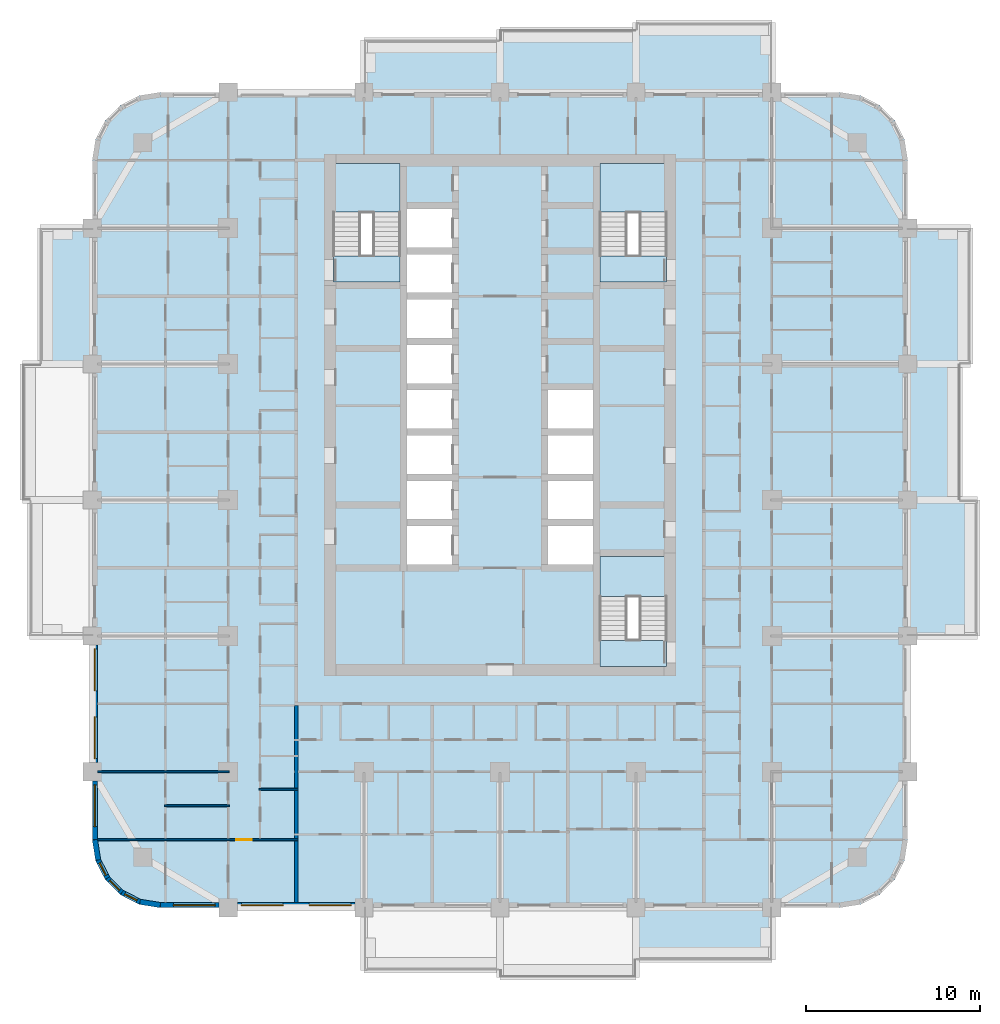
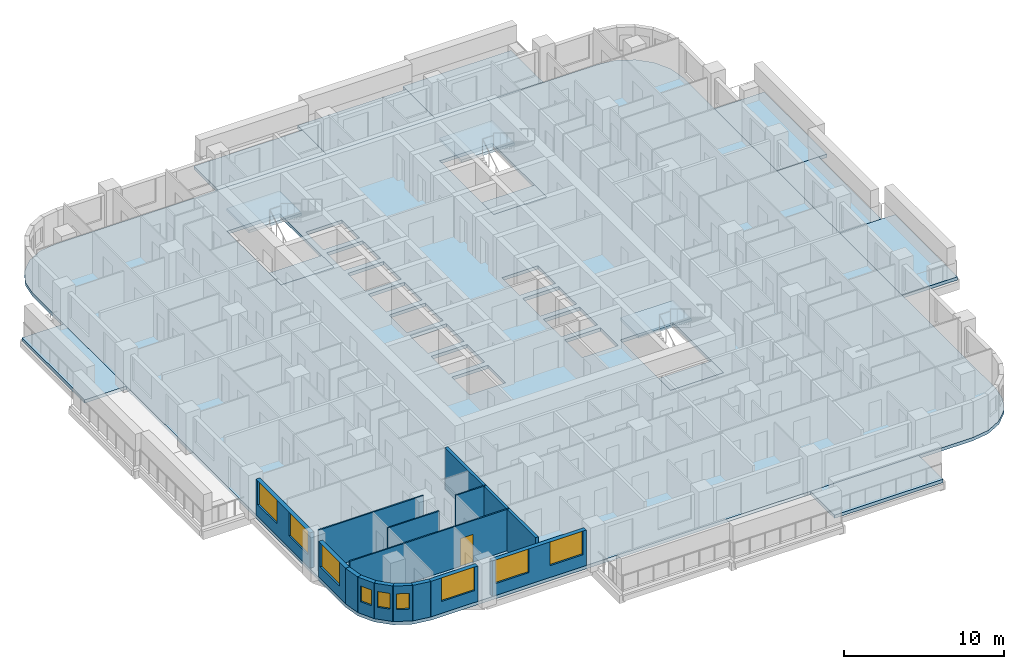
# One storey, part 2 of 17: 15 slabs, 14 walls, 9 windows, 1 door, 10 openings, 3 elements without a shape of their own.
"""IFC4 building model written with IfcOpenShell, lengths in metres."""

from ifc_helpers import new_model, si_unit, direction, frame, frame_2d, origin, place, context, subcontext, project, spatial, polyline, rectangle, outline, extrude, material, layer, layer_set, type_object, element, fill, aggregate, save


model = new_model("IFC4")

# Units and contexts
model_context = context("Model", 3, precision=1e-05, world=origin(), true_north=direction((0.0, 1.0)))
body_context = subcontext(model_context, "Body", "Model", "MODEL_VIEW")
ifc_project = project(units=[si_unit("LENGTHUNIT", "METRE"), si_unit("AREAUNIT", "SQUARE_METRE"), si_unit("VOLUMEUNIT", "CUBIC_METRE"), si_unit("PLANEANGLEUNIT", "RADIAN"), si_unit("MASSUNIT", "GRAM", prefix="KILO")], contexts=[model_context])

# Site, building, storey
site_placement = place(None, origin())
site = spatial("IfcSite", under=ifc_project, at=site_placement, CompositionType="ELEMENT")
building_placement = place(site_placement, origin())
building = spatial("IfcBuilding", under=site, at=building_placement, Name="Ludao Terraces", CompositionType="ELEMENT")
storey_placement = place(building_placement, frame((0.0, 0.0, 39.89990234375)))
storey = spatial("IfcBuildingStorey", under=building, at=storey_placement, Name="L10", CompositionType="ELEMENT", Elevation=39.89990234375)

# Slabs
ifc_material_1 = material(Name="Concrete C40", Category="concrete")
ifc_layer_1 = layer(ifc_material_1, 0.25)
ifc_layer_set_1 = layer_set([ifc_layer_1], Name="Balcony slab 250 C40")
slab_type_1 = type_object("IfcSlabType", Name="Balcony slab 250 C40", PredefinedType="USERDEFINED", material=ifc_layer_set_1)
slab_1_placement = place(storey_placement, frame((0.0, 0.0, -0.25)))
element("IfcSlab", 1, at=slab_1_placement, inside=storey, type_object=slab_type_1, Name="Balcony L10 S4", ObjectType="BALCONY", PredefinedType="USERDEFINED", context=body_context, shape_type="SweptSolid", body=[
    extrude(outline(polyline([(92.800048828125, 38.60009765625), (100.60009765625, 38.60009765625), (100.60009765625, 41.60009765625), (92.800048828125, 41.60009765625), (92.800048828125, 38.60009765625)])), origin(), (0.0, 0.0, 1.0), 0.25),
])
slab_2_placement = place(storey_placement, frame((0.0, 0.0, -0.25)))
element("IfcSlab", 2, at=slab_2_placement, inside=storey, type_object=slab_type_1, Name="Balcony L10 E2", ObjectType="BALCONY", PredefinedType="USERDEFINED", context=body_context, shape_type="SweptSolid", body=[
    extrude(outline(polyline([(108.39990234375, 57.199951171875), (112.39990234375, 57.199951171875), (112.39990234375, 65.0), (108.39990234375, 65.0), (108.39990234375, 57.199951171875)])), origin(), (0.0, 0.0, 1.0), 0.25),
])
slab_3_placement = place(storey_placement, frame((0.0, 0.0, -0.25)))
element("IfcSlab", 3, at=slab_3_placement, inside=storey, type_object=slab_type_1, Name="Balcony L10 E3", ObjectType="BALCONY", PredefinedType="USERDEFINED", context=body_context, shape_type="SweptSolid", body=[
    extrude(outline(polyline([(108.39990234375, 65.0), (111.39990234375, 65.0), (111.39990234375, 72.800048828125), (108.39990234375, 72.800048828125), (108.39990234375, 65.0)])), origin(), (0.0, 0.0, 1.0), 0.25),
])
slab_4_placement = place(storey_placement, frame((0.0, 0.0, -0.25)))
element("IfcSlab", 4, at=slab_4_placement, inside=storey, type_object=slab_type_1, Name="Balcony L10 E4", ObjectType="BALCONY", PredefinedType="USERDEFINED", context=body_context, shape_type="SweptSolid", body=[
    extrude(outline(polyline([(108.39990234375, 72.800048828125), (112.0, 72.800048828125), (112.0, 80.60009765625), (108.39990234375, 80.60009765625), (108.39990234375, 72.800048828125)])), origin(), (0.0, 0.0, 1.0), 0.25),
])
slab_5_placement = place(storey_placement, frame((0.0, 0.0, -0.25)))
element("IfcSlab", 5, at=slab_5_placement, inside=storey, type_object=slab_type_1, Name="Balcony L10 N2", ObjectType="BALCONY", PredefinedType="USERDEFINED", context=body_context, shape_type="SweptSolid", body=[
    extrude(outline(polyline([(77.199951171875, 88.39990234375), (85.0, 88.39990234375), (85.0, 91.39990234375), (77.199951171875, 91.39990234375), (77.199951171875, 88.39990234375)])), origin(), (0.0, 0.0, 1.0), 0.25),
])
slab_6_placement = place(storey_placement, frame((0.0, 0.0, -0.25)))
element("IfcSlab", 6, at=slab_6_placement, inside=storey, type_object=slab_type_1, Name="Balcony L10 N3", ObjectType="BALCONY", PredefinedType="USERDEFINED", context=body_context, shape_type="SweptSolid", body=[
    extrude(outline(polyline([(85.0, 88.39990234375), (92.800048828125, 88.39990234375), (92.800048828125, 92.0), (85.0, 92.0), (85.0, 88.39990234375)])), origin(), (0.0, 0.0, 1.0), 0.25),
])
slab_7_placement = place(storey_placement, frame((0.0, 0.0, -0.25)))
element("IfcSlab", 7, at=slab_7_placement, inside=storey, type_object=slab_type_1, Name="Balcony L10 N4", ObjectType="BALCONY", PredefinedType="USERDEFINED", context=body_context, shape_type="SweptSolid", body=[
    extrude(outline(polyline([(92.800048828125, 88.39990234375), (100.60009765625, 88.39990234375), (100.60009765625, 92.39990234375), (92.800048828125, 92.39990234375), (92.800048828125, 88.39990234375)])), origin(), (0.0, 0.0, 1.0), 0.25),
])
slab_8_placement = place(storey_placement, frame((0.0, 0.0, -0.25)))
element("IfcSlab", 8, at=slab_8_placement, inside=storey, type_object=slab_type_1, Name="Balcony L10 W4", ObjectType="BALCONY", PredefinedType="USERDEFINED", context=body_context, shape_type="SweptSolid", body=[
    extrude(outline(polyline([(58.60009765625, 72.800048828125), (61.60009765625, 72.800048828125), (61.60009765625, 80.60009765625), (58.60009765625, 80.60009765625), (58.60009765625, 72.800048828125)])), origin(), (0.0, 0.0, 1.0), 0.25),
])
ifc_layer_2 = layer(ifc_material_1, 0.25)
ifc_layer_set_2 = layer_set([ifc_layer_2], Name="Floor slab 250 C40")
slab_type_2 = type_object("IfcSlabType", Name="Floor slab 250 C40", PredefinedType="FLOOR", material=ifc_layer_set_2)
slab_9_placement = place(storey_placement, frame((0.0, 0.0, -0.25)))
element("IfcSlab", 9, at=slab_9_placement, inside=storey, type_object=slab_type_2, Name="Slab L10", PredefinedType="FLOOR", context=body_context, shape_type="SweptSolid", body=[
    extrude(outline(polyline([(104.5, 41.60009765625), (105.705078125, 41.790771484375), (106.79248046875, 42.3447265625), (107.6552734375, 43.20751953125), (108.209228515625, 44.294921875), (108.39990234375, 45.5), (108.39990234375, 84.5), (108.209228515625, 85.705078125), (107.6552734375, 86.79248046875), (106.79248046875, 87.6552734375), (105.705078125, 88.209228515625), (104.5, 88.39990234375), (65.5, 88.39990234375), (64.294921875, 88.209228515625), (63.20751953125, 87.6552734375), (62.3447265625, 86.79248046875), (61.790771484375, 85.705078125), (61.60009765625, 84.5), (61.60009765625, 45.5), (61.790771484375, 44.294921875), (62.3447265625, 43.20751953125), (63.20751953125, 42.3447265625), (64.294921875, 41.790771484375), (65.5, 41.60009765625), (104.5, 41.60009765625)]), holes=[polyline([(79.64990234375, 61.300048828125), (82.25, 61.300048828125), (82.25, 63.5), (79.64990234375, 63.5), (79.64990234375, 61.300048828125)]), polyline([(79.64990234375, 63.89990234375), (82.25, 63.89990234375), (82.25, 66.10009765625), (79.64990234375, 66.10009765625), (79.64990234375, 63.89990234375)]), polyline([(79.64990234375, 66.5), (82.25, 66.5), (82.25, 68.699951171875), (79.64990234375, 68.699951171875), (79.64990234375, 66.5)]), polyline([(79.64990234375, 69.10009765625), (82.25, 69.10009765625), (82.25, 71.300048828125), (79.64990234375, 71.300048828125), (79.64990234375, 69.10009765625)]), polyline([(79.64990234375, 71.699951171875), (82.25, 71.699951171875), (82.25, 73.89990234375), (79.64990234375, 73.89990234375), (79.64990234375, 71.699951171875)]), polyline([(79.64990234375, 74.300048828125), (82.25, 74.300048828125), (82.25, 76.5), (79.64990234375, 76.5), (79.64990234375, 74.300048828125)]), polyline([(79.64990234375, 76.89990234375), (82.25, 76.89990234375), (82.25, 79.10009765625), (79.64990234375, 79.10009765625), (79.64990234375, 76.89990234375)]), polyline([(79.64990234375, 79.5), (82.25, 79.5), (82.25, 81.699951171875), (79.64990234375, 81.699951171875), (79.64990234375, 79.5)]), polyline([(87.75, 61.300048828125), (90.35009765625, 61.300048828125), (90.35009765625, 63.5), (87.75, 63.5), (87.75, 61.300048828125)]), polyline([(87.75, 63.89990234375), (90.35009765625, 63.89990234375), (90.35009765625, 66.10009765625), (87.75, 66.10009765625), (87.75, 63.89990234375)]), polyline([(87.75, 66.5), (90.35009765625, 66.5), (90.35009765625, 68.699951171875), (87.75, 68.699951171875), (87.75, 66.5)]), polyline([(87.75, 69.10009765625), (90.35009765625, 69.10009765625), (90.35009765625, 71.300048828125), (87.75, 71.300048828125), (87.75, 69.10009765625)]), polyline([(75.449951171875, 77.5), (79.25, 77.5), (79.25, 84.239990234375), (75.449951171875, 84.239990234375), (75.449951171875, 77.5)]), polyline([(90.75, 77.5), (94.550048828125, 77.5), (94.550048828125, 84.239990234375), (90.75, 84.239990234375), (90.75, 77.5)]), polyline([(90.75, 55.449951171875), (94.550048828125, 55.449951171875), (94.550048828125, 61.75), (90.75, 61.75), (90.75, 55.449951171875)])]), origin(), (0.0, 0.0, 1.0), 0.25),
])

# Stair, slabs
stair_type = type_object("IfcStairType", Name="INT Stair", PredefinedType="HALF_TURN_STAIR", material=ifc_material_1)
stair_1_placement = place(storey_placement, origin())
stair_1 = element("IfcStair", 10, at=stair_1_placement, inside=storey, type_object=stair_type, Name="EXIT STAIR 1", PredefinedType="HALF_TURN_STAIR")
ifc_layer_3 = layer(ifc_material_1, 0.199951171875)
ifc_layer_set_3 = layer_set([ifc_layer_3], Name="INT Stair landing 200")
slab_type_3 = type_object("IfcSlabType", Name="INT Stair landing 200", PredefinedType="LANDING", material=ifc_layer_set_3)
slab_10_placement = place(storey_placement, frame((0.0, 0.0, 1.5)))
slab_10 = element("IfcSlab", 11, at=slab_10_placement, type_object=slab_type_3, Name="ST1 landing 1", PredefinedType="LANDING", context=body_context, shape_type="SweptSolid", body=[
    extrude(outline(polyline([(75.449951171875, 81.52001953125), (79.25, 81.52001953125), (79.25, 84.300048828125), (75.449951171875, 84.300048828125), (75.449951171875, 81.52001953125)])), origin(), (0.0, 0.0, 1.0), 0.2001953125),
])
slab_11_placement = place(storey_placement, frame((0.0, 0.0, -0.199951171875)))
slab_11 = element("IfcSlab", 12, at=slab_11_placement, type_object=slab_type_3, Name="ST1 landing 2", PredefinedType="LANDING", context=body_context, shape_type="SweptSolid", body=[
    extrude(outline(polyline([(75.449951171875, 77.5), (79.25, 77.5), (79.25, 79.0), (75.449951171875, 79.0), (75.449951171875, 77.5)])), origin(), (0.0, 0.0, 1.0), 0.199951171875),
])
aggregate(stair_1, [slab_10, slab_11])

stair_2_placement = place(storey_placement, origin())
stair_2 = element("IfcStair", 13, at=stair_2_placement, inside=storey, type_object=stair_type, Name="EXIT STAIR 2", PredefinedType="HALF_TURN_STAIR")
slab_12_placement = place(storey_placement, frame((0.0, 0.0, 1.5)))
slab_12 = element("IfcSlab", 14, at=slab_12_placement, type_object=slab_type_3, Name="ST2 landing 1", PredefinedType="LANDING", context=body_context, shape_type="SweptSolid", body=[
    extrude(outline(polyline([(90.75, 81.52001953125), (94.550048828125, 81.52001953125), (94.550048828125, 84.300048828125), (90.75, 84.300048828125), (90.75, 81.52001953125)])), origin(), (0.0, 0.0, 1.0), 0.2001953125),
])
slab_13_placement = place(storey_placement, frame((0.0, 0.0, -0.199951171875)))
slab_13 = element("IfcSlab", 15, at=slab_13_placement, type_object=slab_type_3, Name="ST2 landing 2", PredefinedType="LANDING", context=body_context, shape_type="SweptSolid", body=[
    extrude(outline(polyline([(90.75, 77.5), (94.550048828125, 77.5), (94.550048828125, 79.0), (90.75, 79.0), (90.75, 77.5)])), origin(), (0.0, 0.0, 1.0), 0.199951171875),
])
aggregate(stair_2, [slab_12, slab_13])

stair_3_placement = place(storey_placement, origin())
stair_3 = element("IfcStair", 16, at=stair_3_placement, inside=storey, type_object=stair_type, Name="EXIT STAIR 3", PredefinedType="HALF_TURN_STAIR")
slab_14_placement = place(storey_placement, frame((0.0, 0.0, 1.5)))
slab_14 = element("IfcSlab", 17, at=slab_14_placement, type_object=slab_type_3, Name="ST3 landing 1", PredefinedType="LANDING", context=body_context, shape_type="SweptSolid", body=[
    extrude(outline(polyline([(90.75, 59.469970703125), (94.550048828125, 59.469970703125), (94.550048828125, 61.75), (90.75, 61.75), (90.75, 59.469970703125)])), origin(), (0.0, 0.0, 1.0), 0.2001953125),
])
slab_15_placement = place(storey_placement, frame((0.0, 0.0, -0.199951171875)))
slab_15 = element("IfcSlab", 18, at=slab_15_placement, type_object=slab_type_3, Name="ST3 landing 2", PredefinedType="LANDING", context=body_context, shape_type="SweptSolid", body=[
    extrude(outline(polyline([(90.75, 55.449951171875), (94.550048828125, 55.449951171875), (94.550048828125, 56.949951171875), (90.75, 56.949951171875), (90.75, 55.449951171875)])), origin(), (0.0, 0.0, 1.0), 0.199951171875),
])
aggregate(stair_3, [slab_14, slab_15])

# Wall, opening, window
ifc_material_2 = material(Name="Granite cladding", Category="masonry")
ifc_layer_4 = layer(ifc_material_2, 0.0400390625, Category="stone")
ifc_material_3 = material(Name="Mineral wool")
ifc_layer_5 = layer(ifc_material_3, 0.06005859375)
ifc_layer_6 = layer(ifc_material_1, 0.199951171875, Category="concrete")
ifc_layer_set_4 = layer_set([ifc_layer_4, ifc_layer_5, ifc_layer_6], Name="ENV Stone-clad wall 300")
wall_type_1 = type_object("IfcWallType", Name="ENV Stone-clad wall 300", PredefinedType="SOLIDWALL", material=ifc_layer_set_4)
wall_1_placement = place(storey_placement, frame((65.5, 41.75, 0.0), z_axis=(0.0, 0.0, 1.0), x_axis=(1.0, 0.0, 0.0)))
wall_1 = element("IfcWall", 19, at=wall_1_placement, inside=storey, type_object=wall_type_1, Name="EW-L10-S1", PredefinedType="SOLIDWALL", context=body_context, shape_type="SweptSolid", body=[
    extrude(rectangle(XDim=3.375, YDim=0.300048828125, at=frame_2d((1.6875, 0.0))), origin(), (0.0, 0.0, 1.0), 2.7001953125),
])
opening_1_placement = place(wall_1_placement, frame((0.75, 0.0, 0.89990234375)))
opening_1 = element("IfcOpeningElement", 20, at=opening_1_placement, cuts=wall_1, Name="Opening W1", PredefinedType="OPENING", context=body_context, shape_type="SweptSolid", body=[
    extrude(rectangle(XDim=2.39990234375, YDim=1.800048828125, at=frame_2d((1.199951171875, 0.89990234375))), frame((0.0, 0.16015625, 0.0), z_axis=(0.0, -1.0, 0.0), x_axis=(1.0, 0.0, 0.0)), (0.0, 0.0, 1.0), 0.320068359375),
])
ifc_material_4 = material(Name="Clear glass in aluminium frame", Category="aluminium")
ifc_layer_7 = layer(ifc_material_4, 0.06005859375)
ifc_layer_set_5 = layer_set([ifc_layer_7], Name="ENV Window W1 2400x1800")
window_type_1 = type_object("IfcWindowType", Name="ENV Window W1 2400x1800", PartitioningType="DOUBLE_PANEL_VERTICAL", PredefinedType="WINDOW", material=ifc_layer_set_5)
window_1_placement = place(opening_1_placement, origin())
window_1 = element("IfcWindow", 21, at=window_1_placement, inside=storey, type_object=window_type_1, Name="W-L10-S1-1", OverallHeight=1.800048828125, OverallWidth=2.39990234375, PartitioningType="DOUBLE_PANEL_VERTICAL", PredefinedType="WINDOW", context=body_context, shape_type="SweptSolid", body=[
    extrude(rectangle(XDim=2.39990234375, YDim=1.800048828125, at=frame_2d((1.199951171875, 0.89990234375))), frame((0.0, 0.030029296875, 0.0), z_axis=(0.0, -1.0, 0.0), x_axis=(1.0, 0.0, 0.0)), (0.0, 0.0, 1.0), 0.06005859375),
])
fill(opening_1, window_1)

# Wall, openings, windows
wall_2_placement = place(storey_placement, frame((69.925048828125, 41.75, 0.0), z_axis=(0.0, 0.0, 1.0), x_axis=(1.0, 0.0, 0.0)))
wall_2 = element("IfcWall", 22, at=wall_2_placement, inside=storey, type_object=wall_type_1, Name="EW-L10-S2", PredefinedType="SOLIDWALL", context=body_context, shape_type="SweptSolid", body=[
    extrude(rectangle(XDim=6.75, YDim=0.300048828125, at=frame_2d((3.375, 0.0))), origin(), (0.0, 0.0, 1.0), 2.7001953125),
])
opening_2_placement = place(wall_2_placement, frame((0.22509765625, 0.0, 0.89990234375)))
opening_2 = element("IfcOpeningElement", 23, at=opening_2_placement, cuts=wall_2, Name="Opening W1", PredefinedType="OPENING", context=body_context, shape_type="SweptSolid", body=[
    extrude(rectangle(XDim=2.39990234375, YDim=1.800048828125, at=frame_2d((1.199951171875, 0.89990234375))), frame((0.0, 0.16015625, 0.0), z_axis=(0.0, -1.0, 0.0), x_axis=(1.0, 0.0, 0.0)), (0.0, 0.0, 1.0), 0.320068359375),
])
opening_3_placement = place(wall_2_placement, frame((4.125, 0.0, 0.89990234375)))
opening_3 = element("IfcOpeningElement", 24, at=opening_3_placement, cuts=wall_2, Name="Opening W1", PredefinedType="OPENING", context=body_context, shape_type="SweptSolid", body=[
    extrude(rectangle(XDim=2.39990234375, YDim=1.800048828125, at=frame_2d((1.199951171875, 0.89990234375))), frame((0.0, 0.16015625, 0.0), z_axis=(0.0, -1.0, 0.0), x_axis=(1.0, 0.0, 0.0)), (0.0, 0.0, 1.0), 0.320068359375),
])
window_2_placement = place(opening_2_placement, origin())
window_2 = element("IfcWindow", 25, at=window_2_placement, inside=storey, type_object=window_type_1, Name="W-L10-S2-1", OverallHeight=1.800048828125, OverallWidth=2.39990234375, PartitioningType="DOUBLE_PANEL_VERTICAL", PredefinedType="WINDOW", context=body_context, shape_type="SweptSolid", body=[
    extrude(rectangle(XDim=2.39990234375, YDim=1.800048828125, at=frame_2d((1.199951171875, 0.89990234375))), frame((0.0, 0.030029296875, 0.0), z_axis=(0.0, -1.0, 0.0), x_axis=(1.0, 0.0, 0.0)), (0.0, 0.0, 1.0), 0.06005859375),
])
fill(opening_2, window_2)
window_3_placement = place(opening_3_placement, origin())
window_3 = element("IfcWindow", 26, at=window_3_placement, inside=storey, type_object=window_type_1, Name="W-L10-S2-2", OverallHeight=1.800048828125, OverallWidth=2.39990234375, PartitioningType="DOUBLE_PANEL_VERTICAL", PredefinedType="WINDOW", context=body_context, shape_type="SweptSolid", body=[
    extrude(rectangle(XDim=2.39990234375, YDim=1.800048828125, at=frame_2d((1.199951171875, 0.89990234375))), frame((0.0, 0.030029296875, 0.0), z_axis=(0.0, -1.0, 0.0), x_axis=(1.0, 0.0, 0.0)), (0.0, 0.0, 1.0), 0.06005859375),
])
fill(opening_3, window_3)

# Wall, opening, window
wall_3_placement = place(storey_placement, frame((61.75, 45.5, 0.0), z_axis=(0.0, 0.0, 1.0), x_axis=(0.0, 1.0, 0.0)))
wall_3 = element("IfcWall", 27, at=wall_3_placement, inside=storey, type_object=wall_type_1, Name="EW-L10-W1", PredefinedType="SOLIDWALL", context=body_context, shape_type="SweptSolid", body=[
    extrude(rectangle(XDim=3.375, YDim=0.300048828125, at=frame_2d((1.6875, 0.0))), origin(), (0.0, 0.0, 1.0), 2.7001953125),
])
opening_4_placement = place(wall_3_placement, frame((0.75, 0.0, 0.89990234375)))
opening_4 = element("IfcOpeningElement", 28, at=opening_4_placement, cuts=wall_3, Name="Opening W1", PredefinedType="OPENING", context=body_context, shape_type="SweptSolid", body=[
    extrude(rectangle(XDim=2.39990234375, YDim=1.800048828125, at=frame_2d((1.199951171875, 0.89990234375))), frame((0.0, 0.16015625, 0.0), z_axis=(0.0, -1.0, 0.0), x_axis=(1.0, 0.0, 0.0)), (0.0, 0.0, 1.0), 0.320068359375),
])
window_4_placement = place(opening_4_placement, origin())
window_4 = element("IfcWindow", 29, at=window_4_placement, inside=storey, type_object=window_type_1, Name="W-L10-W1-1", OverallHeight=1.800048828125, OverallWidth=2.39990234375, PartitioningType="DOUBLE_PANEL_VERTICAL", PredefinedType="WINDOW", context=body_context, shape_type="SweptSolid", body=[
    extrude(rectangle(XDim=2.39990234375, YDim=1.800048828125, at=frame_2d((1.199951171875, 0.89990234375))), frame((0.0, 0.030029296875, 0.0), z_axis=(0.0, -1.0, 0.0), x_axis=(1.0, 0.0, 0.0)), (0.0, 0.0, 1.0), 0.06005859375),
])
fill(opening_4, window_4)

# Wall, openings, windows
wall_4_placement = place(storey_placement, frame((61.75, 49.925048828125, 0.0), z_axis=(0.0, 0.0, 1.0), x_axis=(0.0, 1.0, 0.0)))
wall_4 = element("IfcWall", 30, at=wall_4_placement, inside=storey, type_object=wall_type_1, Name="EW-L10-W2", PredefinedType="SOLIDWALL", context=body_context, shape_type="SweptSolid", body=[
    extrude(rectangle(XDim=6.75, YDim=0.300048828125, at=frame_2d((3.375, 0.0))), origin(), (0.0, 0.0, 1.0), 2.7001953125),
])
opening_5_placement = place(wall_4_placement, frame((0.22509765625, 0.0, 0.89990234375)))
opening_5 = element("IfcOpeningElement", 31, at=opening_5_placement, cuts=wall_4, Name="Opening W1", PredefinedType="OPENING", context=body_context, shape_type="SweptSolid", body=[
    extrude(rectangle(XDim=2.39990234375, YDim=1.800048828125, at=frame_2d((1.199951171875, 0.89990234375))), frame((0.0, 0.16015625, 0.0), z_axis=(0.0, -1.0, 0.0), x_axis=(1.0, 0.0, 0.0)), (0.0, 0.0, 1.0), 0.320068359375),
])
opening_6_placement = place(wall_4_placement, frame((4.125, 0.0, 0.89990234375)))
opening_6 = element("IfcOpeningElement", 32, at=opening_6_placement, cuts=wall_4, Name="Opening W1", PredefinedType="OPENING", context=body_context, shape_type="SweptSolid", body=[
    extrude(rectangle(XDim=2.39990234375, YDim=1.800048828125, at=frame_2d((1.199951171875, 0.89990234375))), frame((0.0, 0.16015625, 0.0), z_axis=(0.0, -1.0, 0.0), x_axis=(1.0, 0.0, 0.0)), (0.0, 0.0, 1.0), 0.320068359375),
])
window_5_placement = place(opening_5_placement, origin())
window_5 = element("IfcWindow", 33, at=window_5_placement, inside=storey, type_object=window_type_1, Name="W-L10-W2-1", OverallHeight=1.800048828125, OverallWidth=2.39990234375, PartitioningType="DOUBLE_PANEL_VERTICAL", PredefinedType="WINDOW", context=body_context, shape_type="SweptSolid", body=[
    extrude(rectangle(XDim=2.39990234375, YDim=1.800048828125, at=frame_2d((1.199951171875, 0.89990234375))), frame((0.0, 0.030029296875, 0.0), z_axis=(0.0, -1.0, 0.0), x_axis=(1.0, 0.0, 0.0)), (0.0, 0.0, 1.0), 0.06005859375),
])
fill(opening_5, window_5)
window_6_placement = place(opening_6_placement, origin())
window_6 = element("IfcWindow", 34, at=window_6_placement, inside=storey, type_object=window_type_1, Name="W-L10-W2-2", OverallHeight=1.800048828125, OverallWidth=2.39990234375, PartitioningType="DOUBLE_PANEL_VERTICAL", PredefinedType="WINDOW", context=body_context, shape_type="SweptSolid", body=[
    extrude(rectangle(XDim=2.39990234375, YDim=1.800048828125, at=frame_2d((1.199951171875, 0.89990234375))), frame((0.0, 0.030029296875, 0.0), z_axis=(0.0, -1.0, 0.0), x_axis=(1.0, 0.0, 0.0)), (0.0, 0.0, 1.0), 0.06005859375),
])
fill(opening_6, window_6)

# Wall
wall_5_placement = place(storey_placement, frame((61.75, 45.5, 0.0), z_axis=(0.0, 0.0, 1.0), x_axis=(0.156496880861, -0.987678452879, 0.0)))
element("IfcWall", 35, at=wall_5_placement, inside=storey, type_object=wall_type_1, Name="EW-L10-SW1", PredefinedType="SOLIDWALL", context=body_context, shape_type="SweptSolid", body=[
    extrude(rectangle(XDim=1.173095703125, YDim=0.300048828125, at=frame_2d((0.58642578125, 0.0))), origin(), (0.0, 0.0, 1.0), 2.7001953125),
])

# Wall, opening, window
wall_6_placement = place(storey_placement, frame((61.93359375, 44.34130859375, 0.0), z_axis=(0.0, 0.0, 1.0), x_axis=(0.454025524128, -0.890988677504, 0.0)))
wall_6 = element("IfcWall", 36, at=wall_6_placement, inside=storey, type_object=wall_type_1, Name="EW-L10-SW2", PredefinedType="SOLIDWALL", context=body_context, shape_type="SweptSolid", body=[
    extrude(rectangle(XDim=1.17333984375, YDim=0.300048828125, at=frame_2d((0.586669921875, 0.0))), origin(), (0.0, 0.0, 1.0), 2.7001953125),
])
opening_7_placement = place(wall_6_placement, frame((0.1865234375, 0.0, 0.89990234375)))
opening_7 = element("IfcOpeningElement", 37, at=opening_7_placement, cuts=wall_6, Name="Opening W3", PredefinedType="OPENING", context=body_context, shape_type="SweptSolid", body=[
    extrude(rectangle(XDim=0.800048828125, YDim=1.199951171875, at=frame_2d((0.39990234375, 0.60009765625))), frame((0.0, 0.16015625, 0.0), z_axis=(0.0, -1.0, 0.0), x_axis=(1.0, 0.0, 0.0)), (0.0, 0.0, 1.0), 0.320068359375),
])
ifc_layer_8 = layer(ifc_material_4, 0.06005859375)
ifc_layer_set_6 = layer_set([ifc_layer_8], Name="ENV Window W3 800x1200")
window_type_2 = type_object("IfcWindowType", Name="ENV Window W3 800x1200", PartitioningType="SINGLE_PANEL", PredefinedType="WINDOW", material=ifc_layer_set_6)
window_7_placement = place(opening_7_placement, origin())
window_7 = element("IfcWindow", 38, at=window_7_placement, inside=storey, type_object=window_type_2, Name="W-L10-SW2", OverallHeight=1.199951171875, OverallWidth=0.800048828125, PartitioningType="SINGLE_PANEL", PredefinedType="WINDOW", context=body_context, shape_type="SweptSolid", body=[
    extrude(rectangle(XDim=0.800048828125, YDim=1.199951171875, at=frame_2d((0.39990234375, 0.60009765625))), frame((0.0, 0.030029296875, 0.0), z_axis=(0.0, -1.0, 0.0), x_axis=(1.0, 0.0, 0.0)), (0.0, 0.0, 1.0), 0.06005859375),
])
fill(opening_7, window_7)

wall_7_placement = place(storey_placement, frame((62.46630859375, 43.2958984375, 0.0), z_axis=(0.0, 0.0, 1.0), x_axis=(0.707106781187, -0.707106781187, 0.0)))
wall_7 = element("IfcWall", 39, at=wall_7_placement, inside=storey, type_object=wall_type_1, Name="EW-L10-SW3", PredefinedType="SOLIDWALL", context=body_context, shape_type="SweptSolid", body=[
    extrude(rectangle(XDim=1.173095703125, YDim=0.300048828125, at=frame_2d((0.58642578125, 0.0))), origin(), (0.0, 0.0, 1.0), 2.7001953125),
])
opening_8_placement = place(wall_7_placement, frame((0.1865234375, 0.0, 0.89990234375)))
opening_8 = element("IfcOpeningElement", 40, at=opening_8_placement, cuts=wall_7, Name="Opening W3", PredefinedType="OPENING", context=body_context, shape_type="SweptSolid", body=[
    extrude(rectangle(XDim=0.800048828125, YDim=1.199951171875, at=frame_2d((0.39990234375, 0.60009765625))), frame((0.0, 0.16015625, 0.0), z_axis=(0.0, -1.0, 0.0), x_axis=(1.0, 0.0, 0.0)), (0.0, 0.0, 1.0), 0.320068359375),
])
window_8_placement = place(opening_8_placement, origin())
window_8 = element("IfcWindow", 41, at=window_8_placement, inside=storey, type_object=window_type_2, Name="W-L10-SW3", OverallHeight=1.199951171875, OverallWidth=0.800048828125, PartitioningType="SINGLE_PANEL", PredefinedType="WINDOW", context=body_context, shape_type="SweptSolid", body=[
    extrude(rectangle(XDim=0.800048828125, YDim=1.199951171875, at=frame_2d((0.39990234375, 0.60009765625))), frame((0.0, 0.030029296875, 0.0), z_axis=(0.0, -1.0, 0.0), x_axis=(1.0, 0.0, 0.0)), (0.0, 0.0, 1.0), 0.06005859375),
])
fill(opening_8, window_8)

wall_8_placement = place(storey_placement, frame((63.2958984375, 42.46630859375, 0.0), z_axis=(0.0, 0.0, 1.0), x_axis=(0.890988677504, -0.454025524128, 0.0)))
wall_8 = element("IfcWall", 42, at=wall_8_placement, inside=storey, type_object=wall_type_1, Name="EW-L10-SW4", PredefinedType="SOLIDWALL", context=body_context, shape_type="SweptSolid", body=[
    extrude(rectangle(XDim=1.17333984375, YDim=0.300048828125, at=frame_2d((0.586669921875, 0.0))), origin(), (0.0, 0.0, 1.0), 2.7001953125),
])
opening_9_placement = place(wall_8_placement, frame((0.1865234375, 0.0, 0.89990234375)))
opening_9 = element("IfcOpeningElement", 43, at=opening_9_placement, cuts=wall_8, Name="Opening W3", PredefinedType="OPENING", context=body_context, shape_type="SweptSolid", body=[
    extrude(rectangle(XDim=0.800048828125, YDim=1.199951171875, at=frame_2d((0.39990234375, 0.60009765625))), frame((0.0, 0.16015625, 0.0), z_axis=(0.0, -1.0, 0.0), x_axis=(1.0, 0.0, 0.0)), (0.0, 0.0, 1.0), 0.320068359375),
])
window_9_placement = place(opening_9_placement, origin())
window_9 = element("IfcWindow", 44, at=window_9_placement, inside=storey, type_object=window_type_2, Name="W-L10-SW4", OverallHeight=1.199951171875, OverallWidth=0.800048828125, PartitioningType="SINGLE_PANEL", PredefinedType="WINDOW", context=body_context, shape_type="SweptSolid", body=[
    extrude(rectangle(XDim=0.800048828125, YDim=1.199951171875, at=frame_2d((0.39990234375, 0.60009765625))), frame((0.0, 0.030029296875, 0.0), z_axis=(0.0, -1.0, 0.0), x_axis=(1.0, 0.0, 0.0)), (0.0, 0.0, 1.0), 0.06005859375),
])
fill(opening_9, window_9)

# Wall
wall_9_placement = place(storey_placement, frame((64.34130859375, 41.93359375, 0.0), z_axis=(0.0, 0.0, 1.0), x_axis=(0.987678452879, -0.156496880861, 0.0)))
element("IfcWall", 45, at=wall_9_placement, inside=storey, type_object=wall_type_1, Name="EW-L10-SW5", PredefinedType="SOLIDWALL", context=body_context, shape_type="SweptSolid", body=[
    extrude(rectangle(XDim=1.173095703125, YDim=0.300048828125, at=frame_2d((0.58642578125, 0.0))), origin(), (0.0, 0.0, 1.0), 2.7001953125),
])

# Wall, opening, door
ifc_material_5 = material(Name="Gypsum plasterboard", Category="gypsum")
ifc_layer_9 = layer(ifc_material_5, 0.012451171875, Category="gypsum")
ifc_layer_10 = layer(ifc_material_3, 0.06005859375, Name="insulation")
ifc_material_6 = material(Name="Steel Q235", Category="steel")
ifc_layer_11 = layer(ifc_material_6, 0.014892578125, Name="stud")
ifc_layer_12 = layer(ifc_material_5, 0.012451171875, Category="gypsum")
ifc_layer_set_7 = layer_set([ifc_layer_9, ifc_layer_10, ifc_layer_11, ifc_layer_12], Name="INT Partition 100")
wall_type_2 = type_object("IfcWallType", Name="INT Partition 100", PredefinedType="PARTITIONING", material=ifc_layer_set_7)
wall_10_placement = place(storey_placement, frame((61.900146484375, 45.5, 0.0), z_axis=(0.0, 0.0, 1.0), x_axis=(1.0, 0.0, 0.0)))
wall_10 = element("IfcWall", 46, at=wall_10_placement, inside=storey, type_object=wall_type_2, Name="PW-L10-PW000", PredefinedType="PARTITIONING", context=body_context, shape_type="SweptSolid", body=[
    extrude(rectangle(XDim=11.5, YDim=0.10009765625, at=frame_2d((5.75, 0.0))), origin(), (0.0, 0.0, 1.0), 3.150146484375),
])
opening_10_placement = place(wall_10_placement, frame((7.965087890625, 0.0, 0.0)))
opening_10 = element("IfcOpeningElement", 47, at=opening_10_placement, cuts=wall_10, Name="Opening R03-005", PredefinedType="OPENING", context=body_context, shape_type="SweptSolid", body=[
    extrude(rectangle(XDim=0.89990234375, YDim=2.10009765625, at=frame_2d((0.449951171875, 1.050048828125))), frame((0.0, 0.06005859375, 0.0), z_axis=(0.0, -1.0, 0.0), x_axis=(1.0, 0.0, 0.0)), (0.0, 0.0, 1.0), 0.1201171875),
])
ifc_material_7 = material(Name="Timber door leaf", Category="wood")
door_type = type_object("IfcDoorType", Name="INT Room door 900", OperationType="SINGLE_SWING_LEFT", PredefinedType="DOOR", material=ifc_material_7)
door_placement = place(opening_10_placement, origin())
door = element("IfcDoor", 48, at=door_placement, inside=storey, type_object=door_type, Name="DOOR 005", OperationType="SINGLE_SWING_RIGHT", OverallHeight=2.10009765625, OverallWidth=0.89990234375, PredefinedType="DOOR", context=body_context, shape_type="SweptSolid", body=[
    extrude(rectangle(XDim=0.89990234375, YDim=2.10009765625, at=frame_2d((0.449951171875, 1.050048828125))), frame((0.0, 0.02490234375, 0.0), z_axis=(0.0, -1.0, 0.0), x_axis=(1.0, 0.0, 0.0)), (0.0, 0.0, 1.0), 0.050048828125),
])
fill(opening_10, door)

# Walls
wall_11_placement = place(storey_placement, frame((65.75, 47.449951171875, 0.0), z_axis=(0.0, 0.0, 1.0), x_axis=(1.0, 0.0, 0.0)))
element("IfcWall", 49, at=wall_11_placement, inside=storey, type_object=wall_type_2, Name="PW-L10-PW005", PredefinedType="PARTITIONING", context=body_context, shape_type="SweptSolid", body=[
    extrude(rectangle(XDim=3.7001953125, YDim=0.10009765625, at=frame_2d((1.85009765625, 0.0))), origin(), (0.0, 0.0, 1.0), 3.150146484375),
])
wall_12_placement = place(storey_placement, frame((71.18017578125, 48.39990234375, 0.0), z_axis=(0.0, 0.0, 1.0), x_axis=(1.0, 0.0, 0.0)))
element("IfcWall", 50, at=wall_12_placement, inside=storey, type_object=wall_type_2, Name="PW-L10-PW008", PredefinedType="PARTITIONING", context=body_context, shape_type="SweptSolid", body=[
    extrude(rectangle(XDim=2.219970703125, YDim=0.10009765625, at=frame_2d((1.10986328125, 0.0))), origin(), (0.0, 0.0, 1.0), 3.150146484375),
])
wall_13_placement = place(storey_placement, frame((61.900146484375, 49.39990234375, 0.0), z_axis=(0.0, 0.0, 1.0), x_axis=(1.0, 0.0, 0.0)))
element("IfcWall", 51, at=wall_13_placement, inside=storey, type_object=wall_type_2, Name="PW-L10-PW009", PredefinedType="PARTITIONING", context=body_context, shape_type="SweptSolid", body=[
    extrude(rectangle(XDim=7.550048828125, YDim=0.10009765625, at=frame_2d((3.77490234375, 0.0))), origin(), (0.0, 0.0, 1.0), 3.150146484375),
])
ifc_material_8 = material(Name="Autoclaved aerated concrete block B06 A3.5", Category="concrete")
ifc_layer_13 = layer(ifc_material_8, 0.199951171875)
ifc_layer_set_8 = layer_set([ifc_layer_13], Name="INT Party wall 200")
wall_type_3 = type_object("IfcWallType", Name="INT Party wall 200", PredefinedType="PARTITIONING", material=ifc_layer_set_8)
wall_14_placement = place(storey_placement, frame((73.300048828125, 41.900146484375, 0.0), z_axis=(0.0, 0.0, 1.0), x_axis=(0.0, 1.0, 0.0)))
element("IfcWall", 52, at=wall_14_placement, inside=storey, type_object=wall_type_3, Name="PW-L10-PW089", PredefinedType="PARTITIONING", context=body_context, shape_type="SweptSolid", body=[
    extrude(rectangle(XDim=11.300048828125, YDim=0.199951171875, at=frame_2d((5.64990234375, 0.0))), origin(), (0.0, 0.0, 1.0), 3.150146484375),
])

save(model, "model.ifc")
